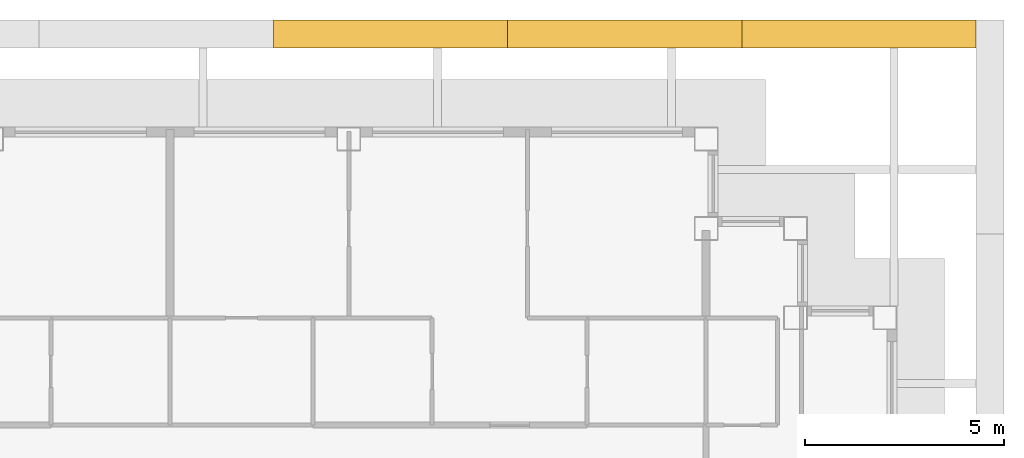
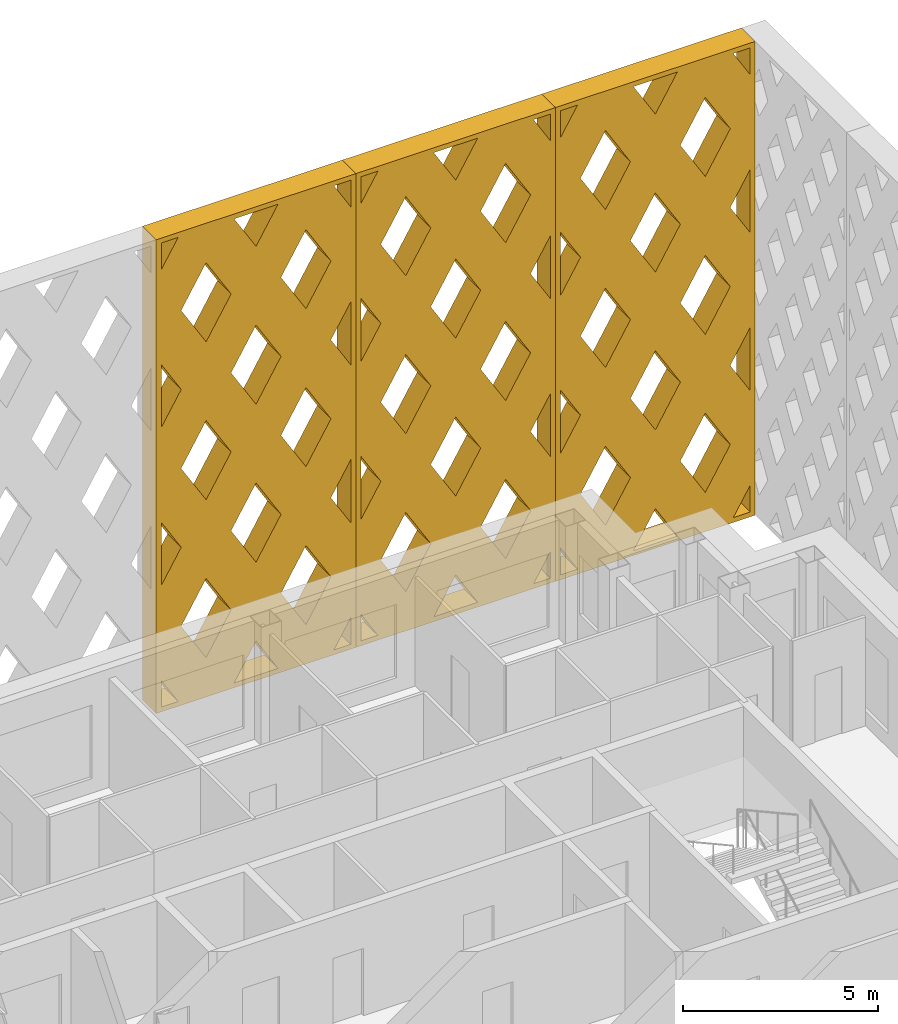
# One storey, part 15 of 15: 3 shading devices.
"""IFC4 building model written with IfcOpenShell, lengths in metres."""

from ifc_helpers import new_model, si_unit, direction, frame, origin, place, context, subcontext, project, spatial, polyline, outline, extrude, material, type_object, element, save


model = new_model("IFC4")

# Units and contexts
model_context = context("Model", 3, precision=1e-05, world=origin(), true_north=direction((0.0, 1.0)))
body_context = subcontext(model_context, "Body", "Model", "MODEL_VIEW")
ifc_project = project(units=[si_unit("LENGTHUNIT", "METRE"), si_unit("AREAUNIT", "SQUARE_METRE"), si_unit("VOLUMEUNIT", "CUBIC_METRE"), si_unit("PLANEANGLEUNIT", "RADIAN"), si_unit("MASSUNIT", "GRAM", prefix="KILO")], contexts=[model_context])

# Site, building, storey
site_placement = place(None, origin())
site = spatial("IfcSite", under=ifc_project, at=site_placement, CompositionType="ELEMENT")
building_placement = place(site_placement, origin())
building = spatial("IfcBuilding", under=site, at=building_placement, Name="Caravel Reach Hotel and Residences", CompositionType="ELEMENT")
storey_placement = place(building_placement, frame((0.0, 0.0, 237.89990234375)))
storey = spatial("IfcBuildingStorey", under=building, at=storey_placement, Name="L60", CompositionType="ELEMENT", Elevation=237.89990234375)

# Shading devices
ifc_material = material(Name="Black powder-coated aluminium", Category="aluminium")
shading_device_type = type_object("IfcShadingDeviceType", Name="Diamond lattice screen panel 5900 x 14800", PredefinedType="USERDEFINED", material=ifc_material)
shading_device_1_placement = place(storey_placement, frame((51.800048828125, 42.800048828125, 0.0), z_axis=(0.0, 1.0, 0.0), x_axis=(-1.0, 0.0, 0.0)))
element("IfcShadingDevice", 1, at=shading_device_1_placement, inside=storey, type_object=shading_device_type, Name="Lattice screen L60-L63 5.1", ObjectType="SCREEN", PredefinedType="USERDEFINED", context=body_context, shape_type="SweptSolid", body=[
    extrude(outline(polyline([(0.0, 0.0), (5.89990234375, 0.0), (5.89990234375, 14.800048828125), (0.0, 14.800048828125), (0.0, 0.0)]), holes=[polyline([(0.64990234375, 0.14990234375), (0.14990234375, 0.986083984375), (0.14990234375, 0.14990234375), (0.64990234375, 0.14990234375)]), polyline([(0.739501953125, 4.933349609375), (0.14990234375, 5.91943359375), (0.14990234375, 3.947265625), (0.739501953125, 4.933349609375)]), polyline([(0.739501953125, 9.86669921875), (0.14990234375, 10.852783203125), (0.14990234375, 8.880615234375), (0.739501953125, 9.86669921875)]), polyline([(0.14990234375, 13.81396484375), (0.64990234375, 14.64990234375), (0.14990234375, 14.64990234375), (0.14990234375, 13.81396484375)]), polyline([(1.47509765625, 3.70361328125), (0.7353515625, 2.466552734375), (1.47509765625, 1.229736328125), (2.214599609375, 2.466552734375), (1.47509765625, 3.70361328125)]), polyline([(1.47509765625, 8.636962890625), (0.7353515625, 7.39990234375), (1.47509765625, 6.1630859375), (2.214599609375, 7.39990234375), (1.47509765625, 8.636962890625)]), polyline([(1.47509765625, 13.570068359375), (0.7353515625, 12.333251953125), (1.47509765625, 11.096435546875), (2.214599609375, 12.333251953125), (1.47509765625, 13.570068359375)]), polyline([(2.949951171875, 1.23681640625), (2.300048828125, 0.14990234375), (3.599853515625, 0.14990234375), (2.949951171875, 1.23681640625)]), polyline([(2.949951171875, 6.170166015625), (2.21044921875, 4.933349609375), (2.949951171875, 3.696533203125), (3.689697265625, 4.933349609375), (2.949951171875, 6.170166015625)]), polyline([(2.949951171875, 11.103515625), (2.21044921875, 9.86669921875), (2.949951171875, 8.6298828125), (3.689697265625, 9.86669921875), (2.949951171875, 11.103515625)]), polyline([(2.949951171875, 13.563232421875), (3.599853515625, 14.64990234375), (2.300048828125, 14.64990234375), (2.949951171875, 13.563232421875)]), polyline([(4.425048828125, 3.70361328125), (3.685302734375, 2.466552734375), (4.425048828125, 1.229736328125), (5.16455078125, 2.466552734375), (4.425048828125, 3.70361328125)]), polyline([(4.425048828125, 8.636962890625), (3.685302734375, 7.39990234375), (4.425048828125, 6.1630859375), (5.16455078125, 7.39990234375), (4.425048828125, 8.636962890625)]), polyline([(4.425048828125, 13.570068359375), (3.685302734375, 12.333251953125), (4.425048828125, 11.096435546875), (5.16455078125, 12.333251953125), (4.425048828125, 13.570068359375)]), polyline([(5.75, 0.986083984375), (5.25, 0.14990234375), (5.75, 0.14990234375), (5.75, 0.986083984375)]), polyline([(5.160400390625, 4.933349609375), (5.75, 3.947265625), (5.75, 5.91943359375), (5.160400390625, 4.933349609375)]), polyline([(5.160400390625, 9.86669921875), (5.75, 8.880615234375), (5.75, 10.852783203125), (5.160400390625, 9.86669921875)]), polyline([(5.25, 14.64990234375), (5.75, 13.81396484375), (5.75, 14.64990234375), (5.25, 14.64990234375)])]), origin(), (0.0, 0.0, 1.0), 0.699951171875),
])
shading_device_2_placement = place(storey_placement, frame((45.89990234375, 42.800048828125, 0.0), z_axis=(0.0, 1.0, 0.0), x_axis=(-1.0, 0.0, 0.0)))
element("IfcShadingDevice", 2, at=shading_device_2_placement, inside=storey, type_object=shading_device_type, Name="Lattice screen L60-L63 5.2", ObjectType="SCREEN", PredefinedType="USERDEFINED", context=body_context, shape_type="SweptSolid", body=[
    extrude(outline(polyline([(0.0, 0.0), (5.89990234375, 0.0), (5.89990234375, 14.800048828125), (0.0, 14.800048828125), (0.0, 0.0)]), holes=[polyline([(0.64990234375, 0.14990234375), (0.14990234375, 0.986083984375), (0.14990234375, 0.14990234375), (0.64990234375, 0.14990234375)]), polyline([(0.739501953125, 4.933349609375), (0.14990234375, 5.91943359375), (0.14990234375, 3.947265625), (0.739501953125, 4.933349609375)]), polyline([(0.739501953125, 9.86669921875), (0.14990234375, 10.852783203125), (0.14990234375, 8.880615234375), (0.739501953125, 9.86669921875)]), polyline([(0.14990234375, 13.81396484375), (0.64990234375, 14.64990234375), (0.14990234375, 14.64990234375), (0.14990234375, 13.81396484375)]), polyline([(1.47509765625, 3.70361328125), (0.7353515625, 2.466552734375), (1.47509765625, 1.229736328125), (2.214599609375, 2.466552734375), (1.47509765625, 3.70361328125)]), polyline([(1.47509765625, 8.636962890625), (0.7353515625, 7.39990234375), (1.47509765625, 6.1630859375), (2.214599609375, 7.39990234375), (1.47509765625, 8.636962890625)]), polyline([(1.47509765625, 13.570068359375), (0.7353515625, 12.333251953125), (1.47509765625, 11.096435546875), (2.214599609375, 12.333251953125), (1.47509765625, 13.570068359375)]), polyline([(2.949951171875, 1.23681640625), (2.300048828125, 0.14990234375), (3.599853515625, 0.14990234375), (2.949951171875, 1.23681640625)]), polyline([(2.949951171875, 6.170166015625), (2.21044921875, 4.933349609375), (2.949951171875, 3.696533203125), (3.689697265625, 4.933349609375), (2.949951171875, 6.170166015625)]), polyline([(2.949951171875, 11.103515625), (2.21044921875, 9.86669921875), (2.949951171875, 8.6298828125), (3.689697265625, 9.86669921875), (2.949951171875, 11.103515625)]), polyline([(2.949951171875, 13.563232421875), (3.599853515625, 14.64990234375), (2.300048828125, 14.64990234375), (2.949951171875, 13.563232421875)]), polyline([(4.425048828125, 3.70361328125), (3.685302734375, 2.466552734375), (4.425048828125, 1.229736328125), (5.16455078125, 2.466552734375), (4.425048828125, 3.70361328125)]), polyline([(4.425048828125, 8.636962890625), (3.685302734375, 7.39990234375), (4.425048828125, 6.1630859375), (5.16455078125, 7.39990234375), (4.425048828125, 8.636962890625)]), polyline([(4.425048828125, 13.570068359375), (3.685302734375, 12.333251953125), (4.425048828125, 11.096435546875), (5.16455078125, 12.333251953125), (4.425048828125, 13.570068359375)]), polyline([(5.75, 0.986083984375), (5.25, 0.14990234375), (5.75, 0.14990234375), (5.75, 0.986083984375)]), polyline([(5.160400390625, 4.933349609375), (5.75, 3.947265625), (5.75, 5.91943359375), (5.160400390625, 4.933349609375)]), polyline([(5.160400390625, 9.86669921875), (5.75, 8.880615234375), (5.75, 10.852783203125), (5.160400390625, 9.86669921875)]), polyline([(5.25, 14.64990234375), (5.75, 13.81396484375), (5.75, 14.64990234375), (5.25, 14.64990234375)])]), origin(), (0.0, 0.0, 1.0), 0.699951171875),
])
shading_device_3_placement = place(storey_placement, frame((40.0, 42.800048828125, 0.0), z_axis=(0.0, 1.0, 0.0), x_axis=(-1.0, 0.0, 0.0)))
element("IfcShadingDevice", 3, at=shading_device_3_placement, inside=storey, type_object=shading_device_type, Name="Lattice screen L60-L63 5.3", ObjectType="SCREEN", PredefinedType="USERDEFINED", context=body_context, shape_type="SweptSolid", body=[
    extrude(outline(polyline([(0.0, 0.0), (5.89990234375, 0.0), (5.89990234375, 14.800048828125), (0.0, 14.800048828125), (0.0, 0.0)]), holes=[polyline([(0.64990234375, 0.14990234375), (0.14990234375, 0.986083984375), (0.14990234375, 0.14990234375), (0.64990234375, 0.14990234375)]), polyline([(0.739501953125, 4.933349609375), (0.14990234375, 5.91943359375), (0.14990234375, 3.947265625), (0.739501953125, 4.933349609375)]), polyline([(0.739501953125, 9.86669921875), (0.14990234375, 10.852783203125), (0.14990234375, 8.880615234375), (0.739501953125, 9.86669921875)]), polyline([(0.14990234375, 13.81396484375), (0.64990234375, 14.64990234375), (0.14990234375, 14.64990234375), (0.14990234375, 13.81396484375)]), polyline([(1.47509765625, 3.70361328125), (0.7353515625, 2.466552734375), (1.47509765625, 1.229736328125), (2.214599609375, 2.466552734375), (1.47509765625, 3.70361328125)]), polyline([(1.47509765625, 8.636962890625), (0.7353515625, 7.39990234375), (1.47509765625, 6.1630859375), (2.214599609375, 7.39990234375), (1.47509765625, 8.636962890625)]), polyline([(1.47509765625, 13.570068359375), (0.7353515625, 12.333251953125), (1.47509765625, 11.096435546875), (2.214599609375, 12.333251953125), (1.47509765625, 13.570068359375)]), polyline([(2.949951171875, 1.23681640625), (2.300048828125, 0.14990234375), (3.599853515625, 0.14990234375), (2.949951171875, 1.23681640625)]), polyline([(2.949951171875, 6.170166015625), (2.21044921875, 4.933349609375), (2.949951171875, 3.696533203125), (3.689697265625, 4.933349609375), (2.949951171875, 6.170166015625)]), polyline([(2.949951171875, 11.103515625), (2.21044921875, 9.86669921875), (2.949951171875, 8.6298828125), (3.689697265625, 9.86669921875), (2.949951171875, 11.103515625)]), polyline([(2.949951171875, 13.563232421875), (3.599853515625, 14.64990234375), (2.300048828125, 14.64990234375), (2.949951171875, 13.563232421875)]), polyline([(4.425048828125, 3.70361328125), (3.685302734375, 2.466552734375), (4.425048828125, 1.229736328125), (5.16455078125, 2.466552734375), (4.425048828125, 3.70361328125)]), polyline([(4.425048828125, 8.636962890625), (3.685302734375, 7.39990234375), (4.425048828125, 6.1630859375), (5.16455078125, 7.39990234375), (4.425048828125, 8.636962890625)]), polyline([(4.425048828125, 13.570068359375), (3.685302734375, 12.333251953125), (4.425048828125, 11.096435546875), (5.16455078125, 12.333251953125), (4.425048828125, 13.570068359375)]), polyline([(5.75, 0.986083984375), (5.25, 0.14990234375), (5.75, 0.14990234375), (5.75, 0.986083984375)]), polyline([(5.160400390625, 4.933349609375), (5.75, 3.947265625), (5.75, 5.91943359375), (5.160400390625, 4.933349609375)]), polyline([(5.160400390625, 9.86669921875), (5.75, 8.880615234375), (5.75, 10.852783203125), (5.160400390625, 9.86669921875)]), polyline([(5.25, 14.64990234375), (5.75, 13.81396484375), (5.75, 14.64990234375), (5.25, 14.64990234375)])]), origin(), (0.0, 0.0, 1.0), 0.699951171875),
])

save(model, "model.ifc")
